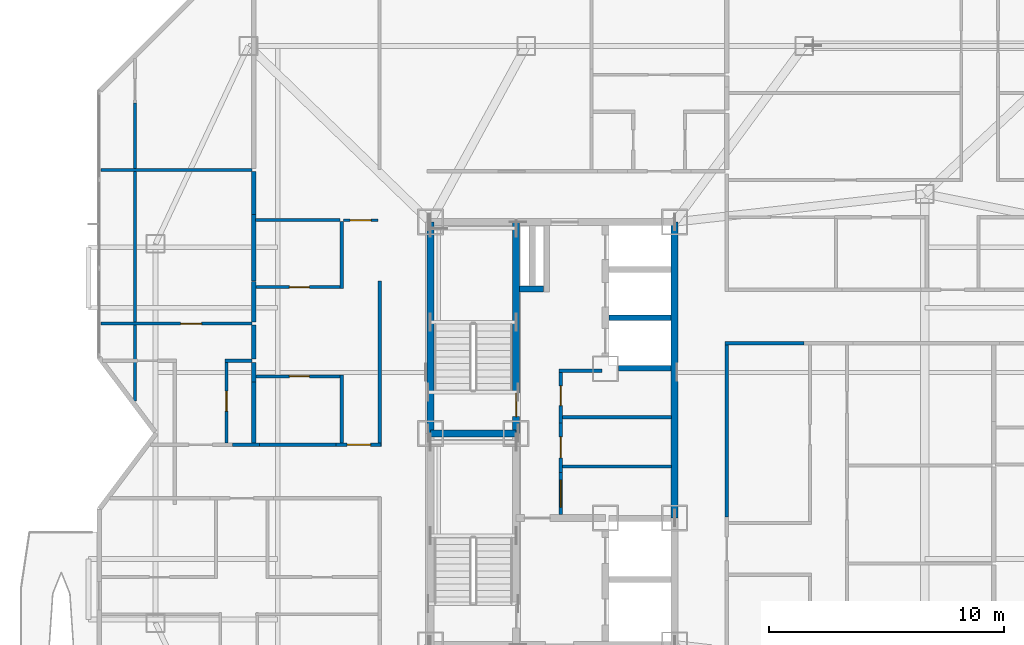
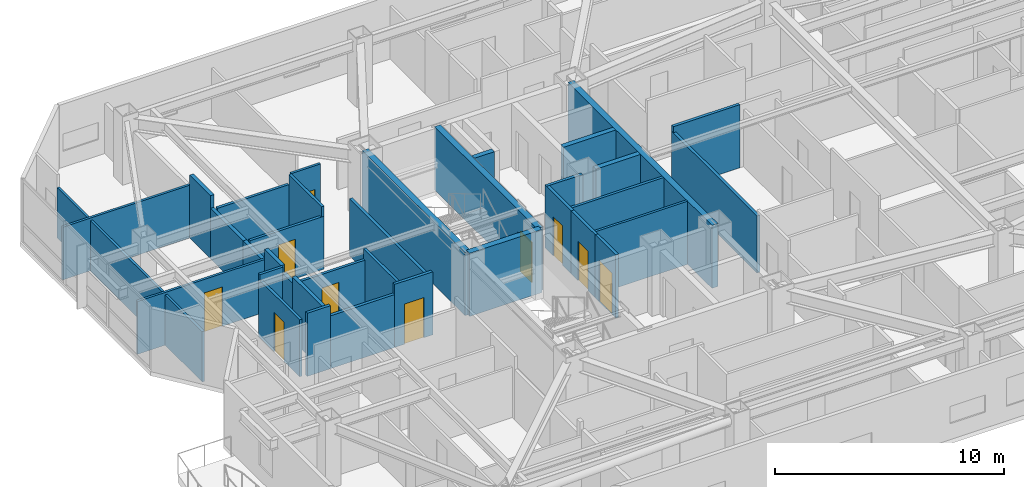
# One storey, part 14 of 20: 36 walls, 10 doors, 10 openings.
"""IFC4 building model written with IfcOpenShell, lengths in metres."""

from ifc_helpers import new_model, si_unit, direction, frame, frame_2d, origin, place, context, subcontext, project, spatial, rectangle, extrude, material, layer, layer_set, type_object, element, fill, save


model = new_model("IFC4")

# Units and contexts
model_context = context("Model", 3, precision=1e-05, world=origin(), true_north=direction((0.0, 1.0)))
body_context = subcontext(model_context, "Body", "Model", "MODEL_VIEW")
ifc_project = project(units=[si_unit("LENGTHUNIT", "METRE"), si_unit("AREAUNIT", "SQUARE_METRE"), si_unit("VOLUMEUNIT", "CUBIC_METRE"), si_unit("PLANEANGLEUNIT", "RADIAN"), si_unit("MASSUNIT", "GRAM", prefix="KILO")], contexts=[model_context])

# Site, building, storey
site_placement = place(None, origin())
site = spatial("IfcSite", under=ifc_project, at=site_placement, CompositionType="ELEMENT")
building_placement = place(site_placement, origin())
building = spatial("IfcBuilding", under=site, at=building_placement, Name="Khamvora Tower", CompositionType="ELEMENT")
storey_placement = place(building_placement, frame((0.0, 0.0, 203.35009765625)))
storey = spatial("IfcBuildingStorey", under=building, at=storey_placement, Name="L52", CompositionType="ELEMENT", Elevation=203.35009765625)

# Walls
ifc_material_1 = material(Name="Concrete C50/60", Category="concrete")
ifc_layer_1 = layer(ifc_material_1, 0.300048828125)
ifc_layer_set_1 = layer_set([ifc_layer_1], Name="Concrete C50/60")
wall_type_1 = type_object("IfcWallType", Name="WAL-CORE-300", PredefinedType="SHEAR", material=ifc_layer_set_1)
wall_1_placement = place(storey_placement, frame((29.0, 28.0, 0.0), z_axis=(0.0, 0.0, 1.0), x_axis=(0.0, 1.0, 0.0)))
element("IfcWall", 1, at=wall_1_placement, inside=storey, type_object=wall_type_1, Name="L52 central core west north wall", PredefinedType="SHEAR", context=body_context, shape_type="SweptSolid", body=[
    extrude(rectangle(XDim=9.0, YDim=0.300048828125, at=frame_2d((4.5, 0.0))), origin(), (0.0, 0.0, 1.0), 3.369873046875),
])
wall_2_placement = place(storey_placement, frame((39.39990234375, 24.39990234375, 0.0), z_axis=(0.0, 0.0, 1.0), x_axis=(0.0, 1.0, 0.0)))
element("IfcWall", 2, at=wall_2_placement, inside=storey, type_object=wall_type_1, Name="L52 central core east north wall", PredefinedType="SHEAR", context=body_context, shape_type="SweptSolid", body=[
    extrude(rectangle(XDim=12.60009765625, YDim=0.300048828125, at=frame_2d((6.300048828125, 0.0))), origin(), (0.0, 0.0, 1.0), 3.369873046875),
])

# Wall, opening, door
wall_3_placement = place(storey_placement, frame((32.64990234375, 28.0, 0.0), z_axis=(0.0, 0.0, 1.0), x_axis=(0.0, 1.0, 0.0)))
wall_3 = element("IfcWall", 3, at=wall_3_placement, inside=storey, type_object=wall_type_1, Name="L52 central core stair north spine wall", PredefinedType="SHEAR", context=body_context, shape_type="SweptSolid", body=[
    extrude(rectangle(XDim=9.0, YDim=0.300048828125, at=frame_2d((4.5, 0.0))), origin(), (0.0, 0.0, 1.0), 3.369873046875),
])
opening_1_placement = place(wall_3_placement, frame((0.719970703125, 0.0, 0.0)))
opening_1 = element("IfcOpeningElement", 4, at=opening_1_placement, cuts=wall_3, Name="Opening D-ST1", PredefinedType="OPENING", context=body_context, shape_type="SweptSolid", body=[
    extrude(rectangle(XDim=1.0, YDim=2.14990234375, at=frame_2d((0.5, 1.074951171875))), frame((0.0, 0.159912109375, 0.0), z_axis=(0.0, -1.0, 0.0), x_axis=(1.0, 0.0, 0.0)), (0.0, 0.0, 1.0), 0.320068359375),
])
ifc_material_2 = material(Name="Powder-Coated Steel and Hardwood Leaf", Category="steel")
door_type_1 = type_object("IfcDoorType", Name="DOR-STAIR-1000", OperationType="NOTDEFINED", PredefinedType="DOOR", material=ifc_material_2)
door_1_placement = place(opening_1_placement, origin())
door_1 = element("IfcDoor", 5, at=door_1_placement, inside=storey, type_object=door_type_1, Name="L52 exit stair ST-02 fire door", OperationType="SINGLE_SWING_RIGHT", OverallHeight=2.14990234375, OverallWidth=1.0, PredefinedType="DOOR", context=body_context, shape_type="SweptSolid", body=[
    extrude(rectangle(XDim=1.0, YDim=2.14990234375, at=frame_2d((0.5, 1.074951171875))), frame((0.0, 0.02490234375, 0.0), z_axis=(0.0, -1.0, 0.0), x_axis=(1.0, 0.0, 0.0)), (0.0, 0.0, 1.0), 0.050048828125),
])
fill(opening_1, door_1)

# Walls
wall_4_placement = place(storey_placement, frame((29.0, 28.0, 0.0), z_axis=(0.0, 0.0, 1.0), x_axis=(1.0, 0.0, 0.0)))
element("IfcWall", 6, at=wall_4_placement, inside=storey, type_object=wall_type_1, Name="L52 central core stair cross wall", PredefinedType="SHEAR", context=body_context, shape_type="SweptSolid", body=[
    extrude(rectangle(XDim=3.64990234375, YDim=0.300048828125, at=frame_2d((1.824951171875, 0.0))), origin(), (0.0, 0.0, 1.0), 3.369873046875),
])
ifc_material_3 = material(Name="Fire-Rated Drywall and Steel Stud", Category="steel")
ifc_layer_2 = layer(ifc_material_3, 0.14990234375)
ifc_layer_set_2 = layer_set([ifc_layer_2], Name="Fire-Rated Drywall and Steel Stud")
wall_type_2 = type_object("IfcWallType", Name="WAL-CORR-150", PredefinedType="STANDARD", material=ifc_layer_set_2)
wall_5_placement = place(storey_placement, frame((36.300048828125, 30.6650390625, 0.0), z_axis=(0.0, 0.0, 1.0), x_axis=(-1.0, 0.0, 0.0)))
element("IfcWall", 7, at=wall_5_placement, inside=storey, type_object=wall_type_2, Name="L52 interior partition wall 001", PredefinedType="STANDARD", context=body_context, shape_type="SweptSolid", body=[
    extrude(rectangle(XDim=1.820068359375, YDim=0.14990234375, at=frame_2d((0.91015625, 0.0))), origin(), (0.0, 0.0, 1.0), 3.369873046875),
])

# Wall, opening, door
wall_6_placement = place(storey_placement, frame((34.544921875, 30.72998046875, 0.0), z_axis=(0.0, 0.0, 1.0), x_axis=(0.0, -1.0, 0.0)))
wall_6 = element("IfcWall", 8, at=wall_6_placement, inside=storey, type_object=wall_type_2, Name="L52 interior partition wall 002", PredefinedType="STANDARD", context=body_context, shape_type="SweptSolid", body=[
    extrude(rectangle(XDim=2.2939453125, YDim=0.14990234375, at=frame_2d((1.14697265625, 0.0))), origin(), (0.0, 0.0, 1.0), 3.369873046875),
])
opening_2_placement = place(wall_6_placement, frame((0.700927734375, 0.0, 0.0)))
opening_2 = element("IfcOpeningElement", 9, at=opening_2_placement, cuts=wall_6, Name="Opening D-WC1", PredefinedType="OPENING", context=body_context, shape_type="SweptSolid", body=[
    extrude(rectangle(XDim=0.85009765625, YDim=2.10009765625, at=frame_2d((0.425048828125, 1.050048828125))), frame((0.0, 0.0849609375, 0.0), z_axis=(0.0, -1.0, 0.0), x_axis=(1.0, 0.0, 0.0)), (0.0, 0.0, 1.0), 0.169921875),
])
door_type_2 = type_object("IfcDoorType", Name="DOR-WET-850", OperationType="NOTDEFINED", PredefinedType="DOOR", material=ifc_material_2)
door_2_placement = place(opening_2_placement, origin())
door_2 = element("IfcDoor", 10, at=door_2_placement, inside=storey, type_object=door_type_2, Name="L52 interior door PHL-CS1", OperationType="SINGLE_SWING_LEFT", OverallHeight=2.10009765625, OverallWidth=0.85009765625, PredefinedType="DOOR", context=body_context, shape_type="SweptSolid", body=[
    extrude(rectangle(XDim=0.85009765625, YDim=2.10009765625, at=frame_2d((0.425048828125, 1.050048828125))), frame((0.0, 0.02490234375, 0.0), z_axis=(0.0, -1.0, 0.0), x_axis=(1.0, 0.0, 0.0)), (0.0, 0.0, 1.0), 0.050048828125),
])
fill(opening_2, door_2)

wall_7_placement = place(storey_placement, frame((34.544921875, 28.43603515625, 0.0), z_axis=(0.0, 0.0, 1.0), x_axis=(0.0, -1.0, 0.0)))
wall_7 = element("IfcWall", 11, at=wall_7_placement, inside=storey, type_object=wall_type_2, Name="L52 interior partition wall 003", PredefinedType="STANDARD", context=body_context, shape_type="SweptSolid", body=[
    extrude(rectangle(XDim=2.10009765625, YDim=0.14990234375, at=frame_2d((1.050048828125, 0.0))), origin(), (0.0, 0.0, 1.0), 3.369873046875),
])
opening_3_placement = place(wall_7_placement, frame((0.5791015625, 0.0, 0.0)))
opening_3 = element("IfcOpeningElement", 12, at=opening_3_placement, cuts=wall_7, Name="Opening D-RM1", PredefinedType="OPENING", context=body_context, shape_type="SweptSolid", body=[
    extrude(rectangle(XDim=0.89990234375, YDim=2.10009765625, at=frame_2d((0.449951171875, 1.050048828125))), frame((0.0, 0.0849609375, 0.0), z_axis=(0.0, -1.0, 0.0), x_axis=(1.0, 0.0, 0.0)), (0.0, 0.0, 1.0), 0.169921875),
])
door_type_3 = type_object("IfcDoorType", Name="DOR-ROOM-900", OperationType="NOTDEFINED", PredefinedType="DOOR", material=ifc_material_2)
door_3_placement = place(opening_3_placement, origin())
door_3 = element("IfcDoor", 13, at=door_3_placement, inside=storey, type_object=door_type_3, Name="L52 interior door PHL-CS2", OperationType="SINGLE_SWING_RIGHT", OverallHeight=2.10009765625, OverallWidth=0.89990234375, PredefinedType="DOOR", context=body_context, shape_type="SweptSolid", body=[
    extrude(rectangle(XDim=0.89990234375, YDim=2.10009765625, at=frame_2d((0.449951171875, 1.050048828125))), frame((0.0, 0.02490234375, 0.0), z_axis=(0.0, -1.0, 0.0), x_axis=(1.0, 0.0, 0.0)), (0.0, 0.0, 1.0), 0.050048828125),
])
fill(opening_3, door_3)

wall_8_placement = place(storey_placement, frame((34.544921875, 26.3359375, 0.0), z_axis=(0.0, 0.0, 1.0), x_axis=(0.0, -1.0, 0.0)))
wall_8 = element("IfcWall", 14, at=wall_8_placement, inside=storey, type_object=wall_type_2, Name="L52 interior partition wall 004", PredefinedType="STANDARD", context=body_context, shape_type="SweptSolid", body=[
    extrude(rectangle(XDim=1.7919921875, YDim=0.14990234375, at=frame_2d((0.89599609375, 0.0))), origin(), (0.0, 0.0, 1.0), 3.369873046875),
])
opening_4_placement = place(wall_8_placement, frame((0.321044921875, 0.0, 0.0)))
opening_4 = element("IfcOpeningElement", 15, at=opening_4_placement, cuts=wall_8, Name="Opening D-SC1", PredefinedType="OPENING", context=body_context, shape_type="SweptSolid", body=[
    extrude(rectangle(XDim=1.14990234375, YDim=2.199951171875, at=frame_2d((0.574951171875, 1.10009765625))), frame((0.0, 0.0849609375, 0.0), z_axis=(0.0, -1.0, 0.0), x_axis=(1.0, 0.0, 0.0)), (0.0, 0.0, 1.0), 0.169921875),
])
door_type_4 = type_object("IfcDoorType", Name="DOR-SCHL-1150", OperationType="NOTDEFINED", PredefinedType="DOOR", material=ifc_material_2)
door_4_placement = place(opening_4_placement, origin())
door_4 = element("IfcDoor", 16, at=door_4_placement, inside=storey, type_object=door_type_4, Name="L52 interior door PHL-CS3", OperationType="SINGLE_SWING_LEFT", OverallHeight=2.199951171875, OverallWidth=1.14990234375, PredefinedType="DOOR", context=body_context, shape_type="SweptSolid", body=[
    extrude(rectangle(XDim=1.14990234375, YDim=2.199951171875, at=frame_2d((0.574951171875, 1.10009765625))), frame((0.0, 0.02490234375, 0.0), z_axis=(0.0, -1.0, 0.0), x_axis=(1.0, 0.0, 0.0)), (0.0, 0.0, 1.0), 0.050048828125),
])
fill(opening_4, door_4)

# Wall
wall_9_placement = place(storey_placement, frame((20.56494140625, 27.514892578125, 0.0), z_axis=(0.0, 0.0, 1.0), x_axis=(1.0, 0.0, 0.0)))
element("IfcWall", 17, at=wall_9_placement, inside=storey, type_object=wall_type_2, Name="L52 interior partition wall 015", PredefinedType="STANDARD", context=body_context, shape_type="SweptSolid", body=[
    extrude(rectangle(XDim=1.1591796875, YDim=0.14990234375, at=frame_2d((0.57958984375, 0.0))), origin(), (0.0, 0.0, 1.0), 3.369873046875),
])

# Wall, opening, door
wall_10_placement = place(storey_placement, frame((24.97607421875, 27.514892578125, 0.0), z_axis=(0.0, 0.0, 1.0), x_axis=(1.0, 0.0, 0.0)))
wall_10 = element("IfcWall", 18, at=wall_10_placement, inside=storey, type_object=wall_type_2, Name="L52 interior partition wall 016", PredefinedType="STANDARD", context=body_context, shape_type="SweptSolid", body=[
    extrude(rectangle(XDim=1.923828125, YDim=0.14990234375, at=frame_2d((0.9619140625, 0.0))), origin(), (0.0, 0.0, 1.0), 3.369873046875),
])
opening_5_placement = place(wall_10_placement, frame((0.48291015625, 0.0, 0.0)))
opening_5 = element("IfcOpeningElement", 19, at=opening_5_placement, cuts=wall_10, Name="Opening D-U1", PredefinedType="OPENING", context=body_context, shape_type="SweptSolid", body=[
    extrude(rectangle(XDim=1.0, YDim=2.14990234375, at=frame_2d((0.5, 1.074951171875))), frame((0.0, 0.0849609375, 0.0), z_axis=(0.0, -1.0, 0.0), x_axis=(1.0, 0.0, 0.0)), (0.0, 0.0, 1.0), 0.169921875),
])
door_type_5 = type_object("IfcDoorType", Name="DOR-UNIT-1000", OperationType="NOTDEFINED", PredefinedType="DOOR", material=ifc_material_2)
door_5_placement = place(opening_5_placement, origin())
door_5 = element("IfcDoor", 20, at=door_5_placement, inside=storey, type_object=door_type_5, Name="L52 interior door COR-52WCH", OperationType="SINGLE_SWING_LEFT", OverallHeight=2.14990234375, OverallWidth=1.0, PredefinedType="DOOR", context=body_context, shape_type="SweptSolid", body=[
    extrude(rectangle(XDim=1.0, YDim=2.14990234375, at=frame_2d((0.5, 1.074951171875))), frame((0.0, 0.02490234375, 0.0), z_axis=(0.0, -1.0, 0.0), x_axis=(1.0, 0.0, 0.0)), (0.0, 0.0, 1.0), 0.050048828125),
])
fill(opening_5, door_5)

# Walls
wall_11_placement = place(storey_placement, frame((26.8349609375, 27.449951171875, 0.0), z_axis=(0.0, 0.0, 1.0), x_axis=(0.0, 1.0, 0.0)))
element("IfcWall", 21, at=wall_11_placement, inside=storey, type_object=wall_type_2, Name="L52 interior partition wall 017", PredefinedType="STANDARD", context=body_context, shape_type="SweptSolid", body=[
    extrude(rectangle(XDim=7.050048828125, YDim=0.14990234375, at=frame_2d((3.52490234375, 0.0))), origin(), (0.0, 0.0, 1.0), 3.046875),
])
wall_12_placement = place(storey_placement, frame((21.72412109375, 27.514892578125, 0.0), z_axis=(0.0, 0.0, 1.0), x_axis=(1.0, 0.0, 0.0)))
element("IfcWall", 22, at=wall_12_placement, inside=storey, type_object=wall_type_2, Name="L52 interior partition wall 018", PredefinedType="STANDARD", context=body_context, shape_type="SweptSolid", body=[
    extrude(rectangle(XDim=3.251953125, YDim=0.14990234375, at=frame_2d((1.6259765625, 0.0))), origin(), (0.0, 0.0, 1.0), 2.826904296875),
])
wall_13_placement = place(storey_placement, frame((44.908935546875, 31.8349609375, 0.0), z_axis=(0.0, 0.0, 1.0), x_axis=(-1.0, 0.0, 0.0)))
element("IfcWall", 23, at=wall_13_placement, inside=storey, type_object=wall_type_2, Name="L52 interior partition wall 029", PredefinedType="STANDARD", context=body_context, shape_type="SweptSolid", body=[
    extrude(rectangle(XDim=3.35888671875, YDim=0.14990234375, at=frame_2d((1.679443359375, 0.0))), origin(), (0.0, 0.0, 1.0), 3.369873046875),
])
wall_14_placement = place(storey_placement, frame((41.614990234375, 31.89794921875, 0.0), z_axis=(0.0, 0.0, 1.0), x_axis=(0.0, -1.0, 0.0)))
element("IfcWall", 24, at=wall_14_placement, inside=storey, type_object=wall_type_2, Name="L52 interior partition wall 030", PredefinedType="STANDARD", context=body_context, shape_type="SweptSolid", body=[
    extrude(rectangle(XDim=7.46484375, YDim=0.14990234375, at=frame_2d((3.732421875, 0.0))), origin(), (0.0, 0.0, 1.0), 3.046875),
])
ifc_material_4 = material(Name="Acoustic Double-Stud Fire Wall", Category="gypsum")
ifc_layer_3 = layer(ifc_material_4, 0.179931640625)
ifc_layer_set_3 = layer_set([ifc_layer_3], Name="Acoustic Double-Stud Fire Wall")
wall_type_3 = type_object("IfcWallType", Name="WAL-CORR-180", PredefinedType="STANDARD", material=ifc_layer_set_3)
wall_15_placement = place(storey_placement, frame((21.47509765625, 32.610107421875, 0.0), z_axis=(0.0, 0.0, 1.0), x_axis=(0.0, -1.0, 0.0)))
element("IfcWall", 25, at=wall_15_placement, inside=storey, type_object=wall_type_3, Name="L52 interior partition wall 069", PredefinedType="STANDARD", context=body_context, shape_type="SweptSolid", body=[
    extrude(rectangle(XDim=1.4501953125, YDim=0.179931640625, at=frame_2d((0.72509765625, 0.0))), origin(), (0.0, 0.0, 1.0), 3.369873046875),
])
wall_16_placement = place(storey_placement, frame((21.47509765625, 31.030029296875, 0.0), z_axis=(0.0, 0.0, 1.0), x_axis=(0.0, -1.0, 0.0)))
element("IfcWall", 26, at=wall_16_placement, inside=storey, type_object=wall_type_3, Name="L52 interior partition wall 070", PredefinedType="STANDARD", context=body_context, shape_type="SweptSolid", body=[
    extrude(rectangle(XDim=0.84912109375, YDim=0.179931640625, at=frame_2d((0.424560546875, 0.0))), origin(), (0.0, 0.0, 1.0), 3.046875),
])
wall_17_placement = place(storey_placement, frame((21.47509765625, 30.180908203125, 0.0), z_axis=(0.0, 0.0, 1.0), x_axis=(0.0, -1.0, 0.0)))
element("IfcWall", 27, at=wall_17_placement, inside=storey, type_object=wall_type_3, Name="L52 interior partition wall 071", PredefinedType="STANDARD", context=body_context, shape_type="SweptSolid", body=[
    extrude(rectangle(XDim=2.598876953125, YDim=0.179931640625, at=frame_2d((1.29931640625, 0.0))), origin(), (0.0, 0.0, 1.0), 3.369873046875),
])
wall_18_placement = place(storey_placement, frame((21.47509765625, 34.47900390625, 0.0), z_axis=(0.0, 0.0, 1.0), x_axis=(0.0, -1.0, 0.0)))
element("IfcWall", 28, at=wall_18_placement, inside=storey, type_object=wall_type_3, Name="L52 interior partition wall 073", PredefinedType="STANDARD", context=body_context, shape_type="SweptSolid", body=[
    extrude(rectangle(XDim=1.739013671875, YDim=0.179931640625, at=frame_2d((0.86962890625, 0.0))), origin(), (0.0, 0.0, 1.0), 2.68701171875),
])
wall_19_placement = place(storey_placement, frame((21.47509765625, 37.3291015625, 0.0), z_axis=(0.0, 0.0, 1.0), x_axis=(0.0, -1.0, 0.0)))
element("IfcWall", 29, at=wall_19_placement, inside=storey, type_object=wall_type_3, Name="L52 interior partition wall 074", PredefinedType="STANDARD", context=body_context, shape_type="SweptSolid", body=[
    extrude(rectangle(XDim=2.85009765625, YDim=0.179931640625, at=frame_2d((1.425048828125, 0.0))), origin(), (0.0, 0.0, 1.0), 2.68701171875),
])
wall_20_placement = place(storey_placement, frame((21.47509765625, 39.155029296875, 0.0), z_axis=(0.0, 0.0, 1.0), x_axis=(0.0, -1.0, 0.0)))
element("IfcWall", 30, at=wall_20_placement, inside=storey, type_object=wall_type_3, Name="L52 interior partition wall 075", PredefinedType="STANDARD", context=body_context, shape_type="SweptSolid", body=[
    extrude(rectangle(XDim=1.825927734375, YDim=0.179931640625, at=frame_2d((0.9130859375, 0.0))), origin(), (0.0, 0.0, 1.0), 3.369873046875),
])
ifc_material_5 = material(Name="Gypsum Plasterboard Partition", Category="gypsum")
ifc_layer_4 = layer(ifc_material_5, 0.1201171875)
ifc_layer_set_4 = layer_set([ifc_layer_4], Name="Gypsum Plasterboard Partition")
wall_type_4 = type_object("IfcWallType", Name="WAL-PART-120", PredefinedType="PARTITIONING", material=ifc_layer_set_4)
wall_21_placement = place(storey_placement, frame((39.256103515625, 26.5849609375, 0.0), z_axis=(0.0, 0.0, 1.0), x_axis=(-1.0, 0.0, 0.0)))
element("IfcWall", 31, at=wall_21_placement, inside=storey, type_object=wall_type_4, Name="L52 interior partition wall 006", PredefinedType="PARTITIONING", context=body_context, shape_type="SweptSolid", body=[
    extrude(rectangle(XDim=4.64404296875, YDim=0.1201171875, at=frame_2d((2.322021484375, 0.0))), origin(), (0.0, 0.0, 1.0), 3.369873046875),
])
wall_22_placement = place(storey_placement, frame((16.425048828125, 42.069091796875, 0.0), z_axis=(0.0, 0.0, 1.0), x_axis=(0.0, -1.0, 0.0)))
element("IfcWall", 32, at=wall_22_placement, inside=storey, type_object=wall_type_4, Name="L52 interior partition wall 066", PredefinedType="PARTITIONING", context=body_context, shape_type="SweptSolid", body=[
    extrude(rectangle(XDim=12.697998046875, YDim=0.1201171875, at=frame_2d((6.34912109375, 0.0))), origin(), (0.0, 0.0, 1.0), 2.68701171875),
])

# Wall, opening, door
wall_23_placement = place(storey_placement, frame((14.98193359375, 32.675048828125, 0.0), z_axis=(0.0, 0.0, 1.0), x_axis=(1.0, 0.0, 0.0)))
wall_23 = element("IfcWall", 33, at=wall_23_placement, inside=storey, type_object=wall_type_4, Name="L52 interior partition wall 067", PredefinedType="PARTITIONING", context=body_context, shape_type="SweptSolid", body=[
    extrude(rectangle(XDim=6.427978515625, YDim=0.1201171875, at=frame_2d((3.2138671875, 0.0))), origin(), (0.0, 0.0, 1.0), 2.81591796875),
])
opening_6_placement = place(wall_23_placement, frame((3.382080078125, 0.0, 0.0)))
opening_6 = element("IfcOpeningElement", 34, at=opening_6_placement, cuts=wall_23, Name="Opening D-RM1", PredefinedType="OPENING", context=body_context, shape_type="SweptSolid", body=[
    extrude(rectangle(XDim=0.89990234375, YDim=2.10009765625, at=frame_2d((0.449951171875, 1.050048828125))), frame((0.0, 0.070068359375, 0.0), z_axis=(0.0, -1.0, 0.0), x_axis=(1.0, 0.0, 0.0)), (0.0, 0.0, 1.0), 0.14013671875),
])
door_6_placement = place(opening_6_placement, origin())
door_6 = element("IfcDoor", 35, at=door_6_placement, inside=storey, type_object=door_type_3, Name="L52 interior door 52WBH-52WBL", OperationType="SINGLE_SWING_LEFT", OverallHeight=2.10009765625, OverallWidth=0.89990234375, PredefinedType="DOOR", context=body_context, shape_type="SweptSolid", body=[
    extrude(rectangle(XDim=0.89990234375, YDim=2.10009765625, at=frame_2d((0.449951171875, 1.050048828125))), frame((0.0, 0.02490234375, 0.0), z_axis=(0.0, -1.0, 0.0), x_axis=(1.0, 0.0, 0.0)), (0.0, 0.0, 1.0), 0.050048828125),
])
fill(opening_6, door_6)

# Wall
wall_24_placement = place(storey_placement, frame((14.98193359375, 39.219970703125, 0.0), z_axis=(0.0, 0.0, 1.0), x_axis=(1.0, 0.0, 0.0)))
element("IfcWall", 36, at=wall_24_placement, inside=storey, type_object=wall_type_4, Name="L52 interior partition wall 072", PredefinedType="PARTITIONING", context=body_context, shape_type="SweptSolid", body=[
    extrude(rectangle(XDim=6.427978515625, YDim=0.1201171875, at=frame_2d((3.2138671875, 0.0))), origin(), (0.0, 0.0, 1.0), 2.81591796875),
])

# Wall, opening, door
wall_25_placement = place(storey_placement, frame((25.2900390625, 37.080078125, 0.0), z_axis=(0.0, 0.0, 1.0), x_axis=(1.0, 0.0, 0.0)))
wall_25 = element("IfcWall", 37, at=wall_25_placement, inside=storey, type_object=wall_type_4, Name="L52 interior partition wall 081", PredefinedType="PARTITIONING", context=body_context, shape_type="SweptSolid", body=[
    extrude(rectangle(XDim=1.47998046875, YDim=0.1201171875, at=frame_2d((0.739990234375, 0.0))), origin(), (0.0, 0.0, 1.0), 3.369873046875),
])
opening_7_placement = place(wall_25_placement, frame((0.2900390625, 0.0, 0.0)))
opening_7 = element("IfcOpeningElement", 38, at=opening_7_placement, cuts=wall_25, Name="Opening D-RM1", PredefinedType="OPENING", context=body_context, shape_type="SweptSolid", body=[
    extrude(rectangle(XDim=0.89990234375, YDim=2.10009765625, at=frame_2d((0.449951171875, 1.050048828125))), frame((0.0, 0.070068359375, 0.0), z_axis=(0.0, -1.0, 0.0), x_axis=(1.0, 0.0, 0.0)), (0.0, 0.0, 1.0), 0.14013671875),
])
door_7_placement = place(opening_7_placement, origin())
door_7 = element("IfcDoor", 39, at=door_7_placement, inside=storey, type_object=door_type_3, Name="L52 interior door 52WCH-52WCR1", OperationType="SINGLE_SWING_LEFT", OverallHeight=2.10009765625, OverallWidth=0.89990234375, PredefinedType="DOOR", context=body_context, shape_type="SweptSolid", body=[
    extrude(rectangle(XDim=0.89990234375, YDim=2.10009765625, at=frame_2d((0.449951171875, 1.050048828125))), frame((0.0, 0.02490234375, 0.0), z_axis=(0.0, -1.0, 0.0), x_axis=(1.0, 0.0, 0.0)), (0.0, 0.0, 1.0), 0.050048828125),
])
fill(opening_7, door_7)

# Walls
ifc_material_6 = material(Name="Concrete C40/50", Category="concrete")
ifc_layer_5 = layer(ifc_material_6, 0.25)
ifc_layer_set_5 = layer_set([ifc_layer_5], Name="Concrete C40/50")
wall_type_5 = type_object("IfcWallType", Name="WAL-PODS-250", PredefinedType="SHEAR", material=ifc_layer_set_5)
wall_26_placement = place(storey_placement, frame((37.00390625, 30.77490234375, 0.0), z_axis=(0.0, 0.0, 1.0), x_axis=(1.0, 0.0, 0.0)))
element("IfcWall", 40, at=wall_26_placement, inside=storey, type_object=wall_type_5, Name="L52 high-rise lift shaft south enclosure wall PH-01", PredefinedType="SHEAR", context=body_context, shape_type="SweptSolid", body=[
    extrude(rectangle(XDim=2.2421875, YDim=0.25, at=frame_2d((1.12109375, 0.0))), origin(), (0.0, 0.0, 1.0), 3.369873046875),
])
wall_27_placement = place(storey_placement, frame((36.60400390625, 32.925048828125, 0.0), z_axis=(0.0, 0.0, 1.0), x_axis=(1.0, 0.0, 0.0)))
element("IfcWall", 41, at=wall_27_placement, inside=storey, type_object=wall_type_5, Name="L52 lift shaft divider wall PH-01", PredefinedType="SHEAR", context=body_context, shape_type="SweptSolid", body=[
    extrude(rectangle(XDim=2.64208984375, YDim=0.25, at=frame_2d((1.321044921875, 0.0))), origin(), (0.0, 0.0, 1.0), 3.369873046875),
])
wall_28_placement = place(storey_placement, frame((32.803955078125, 34.14990234375, 0.0), z_axis=(0.0, 0.0, 1.0), x_axis=(1.0, 0.0, 0.0)))
element("IfcWall", 42, at=wall_28_placement, inside=storey, type_object=wall_type_5, Name="L52 vertical MEP riser shaft south enclosure wall", PredefinedType="SHEAR", context=body_context, shape_type="SweptSolid", body=[
    extrude(rectangle(XDim=1.02197265625, YDim=0.25, at=frame_2d((0.510986328125, 0.0))), origin(), (0.0, 0.0, 1.0), 3.369873046875),
])
ifc_material_7 = material(Name="Moisture-Resistant Plasterboard Partition", Category="gypsum")
ifc_layer_6 = layer(ifc_material_7, 0.135009765625)
ifc_layer_set_6 = layer_set([ifc_layer_6], Name="Moisture-Resistant Plasterboard Partition")
wall_type_6 = type_object("IfcWallType", Name="WAL-WET-135", PredefinedType="PARTITIONING", material=ifc_layer_set_6)
wall_29_placement = place(storey_placement, frame((39.256103515625, 28.68505859375, 0.0), z_axis=(0.0, 0.0, 1.0), x_axis=(-1.0, 0.0, 0.0)))
element("IfcWall", 43, at=wall_29_placement, inside=storey, type_object=wall_type_6, Name="L52 interior partition wall 005", PredefinedType="PARTITIONING", context=body_context, shape_type="SweptSolid", body=[
    extrude(rectangle(XDim=4.64404296875, YDim=0.135009765625, at=frame_2d((2.322021484375, 0.0))), origin(), (0.0, 0.0, 1.0), 3.369873046875),
])
wall_30_placement = place(storey_placement, frame((21.409912109375, 31.094970703125, 0.0), z_axis=(0.0, 0.0, 1.0), x_axis=(-1.0, 0.0, 0.0)))
element("IfcWall", 44, at=wall_30_placement, inside=storey, type_object=wall_type_6, Name="L52 interior partition wall 062", PredefinedType="PARTITIONING", context=body_context, shape_type="SweptSolid", body=[
    extrude(rectangle(XDim=1.158935546875, YDim=0.135009765625, at=frame_2d((0.57958984375, 0.0))), origin(), (0.0, 0.0, 1.0), 3.369873046875),
])

# Wall, opening, door
wall_31_placement = place(storey_placement, frame((20.31591796875, 31.159912109375, 0.0), z_axis=(0.0, 0.0, 1.0), x_axis=(0.0, -1.0, 0.0)))
wall_31 = element("IfcWall", 45, at=wall_31_placement, inside=storey, type_object=wall_type_6, Name="L52 interior partition wall 063", PredefinedType="PARTITIONING", context=body_context, shape_type="SweptSolid", body=[
    extrude(rectangle(XDim=3.577880859375, YDim=0.135009765625, at=frame_2d((1.7890625, 0.0))), origin(), (0.0, 0.0, 1.0), 3.046875),
])
opening_8_placement = place(wall_31_placement, frame((1.364013671875, 0.0, 0.0)))
opening_8 = element("IfcOpeningElement", 46, at=opening_8_placement, cuts=wall_31, Name="Opening D-WC1", PredefinedType="OPENING", context=body_context, shape_type="SweptSolid", body=[
    extrude(rectangle(XDim=0.85009765625, YDim=2.10009765625, at=frame_2d((0.425048828125, 1.050048828125))), frame((0.0, 0.077392578125, 0.0), z_axis=(0.0, -1.0, 0.0), x_axis=(1.0, 0.0, 0.0)), (0.0, 0.0, 1.0), 0.155029296875),
])
door_8_placement = place(opening_8_placement, origin())
door_8 = element("IfcDoor", 47, at=door_8_placement, inside=storey, type_object=door_type_2, Name="L52 interior door 52WBH-52WBB", OperationType="SINGLE_SWING_RIGHT", OverallHeight=2.10009765625, OverallWidth=0.85009765625, PredefinedType="DOOR", context=body_context, shape_type="SweptSolid", body=[
    extrude(rectangle(XDim=0.85009765625, YDim=2.10009765625, at=frame_2d((0.425048828125, 1.050048828125))), frame((0.0, 0.02490234375, 0.0), z_axis=(0.0, -1.0, 0.0), x_axis=(1.0, 0.0, 0.0)), (0.0, 0.0, 1.0), 0.050048828125),
])
fill(opening_8, door_8)

# Wall
wall_32_placement = place(storey_placement, frame((25.22509765625, 27.58203125, 0.0), z_axis=(0.0, 0.0, 1.0), x_axis=(0.0, 1.0, 0.0)))
element("IfcWall", 48, at=wall_32_placement, inside=storey, type_object=wall_type_6, Name="L52 interior partition wall 077", PredefinedType="PARTITIONING", context=body_context, shape_type="SweptSolid", body=[
    extrude(rectangle(XDim=2.9130859375, YDim=0.135009765625, at=frame_2d((1.45654296875, 0.0))), origin(), (0.0, 0.0, 1.0), 3.369873046875),
])

# Wall, opening, door
wall_33_placement = place(storey_placement, frame((25.2900390625, 30.429931640625, 0.0), z_axis=(0.0, 0.0, 1.0), x_axis=(-1.0, 0.0, 0.0)))
wall_33 = element("IfcWall", 49, at=wall_33_placement, inside=storey, type_object=wall_type_6, Name="L52 interior partition wall 078", PredefinedType="PARTITIONING", context=body_context, shape_type="SweptSolid", body=[
    extrude(rectangle(XDim=3.733154296875, YDim=0.135009765625, at=frame_2d((1.86669921875, 0.0))), origin(), (0.0, 0.0, 1.0), 2.826904296875),
])
opening_9_placement = place(wall_33_placement, frame((1.44189453125, 0.0, 0.0)))
opening_9 = element("IfcOpeningElement", 50, at=opening_9_placement, cuts=wall_33, Name="Opening D-WC1", PredefinedType="OPENING", context=body_context, shape_type="SweptSolid", body=[
    extrude(rectangle(XDim=0.85009765625, YDim=2.10009765625, at=frame_2d((0.425048828125, 1.050048828125))), frame((0.0, 0.077392578125, 0.0), z_axis=(0.0, -1.0, 0.0), x_axis=(1.0, 0.0, 0.0)), (0.0, 0.0, 1.0), 0.155029296875),
])
door_9_placement = place(opening_9_placement, origin())
door_9 = element("IfcDoor", 51, at=door_9_placement, inside=storey, type_object=door_type_2, Name="L52 interior door 52WCH-52WCB", OperationType="SINGLE_SWING_LEFT", OverallHeight=2.10009765625, OverallWidth=0.85009765625, PredefinedType="DOOR", context=body_context, shape_type="SweptSolid", body=[
    extrude(rectangle(XDim=0.85009765625, YDim=2.10009765625, at=frame_2d((0.425048828125, 1.050048828125))), frame((0.0, 0.02490234375, 0.0), z_axis=(0.0, -1.0, 0.0), x_axis=(1.0, 0.0, 0.0)), (0.0, 0.0, 1.0), 0.050048828125),
])
fill(opening_9, door_9)

wall_34_placement = place(storey_placement, frame((21.556884765625, 34.22998046875, 0.0), z_axis=(0.0, 0.0, 1.0), x_axis=(1.0, 0.0, 0.0)))
wall_34 = element("IfcWall", 52, at=wall_34_placement, inside=storey, type_object=wall_type_6, Name="L52 interior partition wall 079", PredefinedType="PARTITIONING", context=body_context, shape_type="SweptSolid", body=[
    extrude(rectangle(XDim=3.733154296875, YDim=0.135009765625, at=frame_2d((1.86669921875, 0.0))), origin(), (0.0, 0.0, 1.0), 2.826904296875),
])
opening_10_placement = place(wall_34_placement, frame((1.44189453125, 0.0, 0.0)))
opening_10 = element("IfcOpeningElement", 53, at=opening_10_placement, cuts=wall_34, Name="Opening D-RM2", PredefinedType="OPENING", context=body_context, shape_type="SweptSolid", body=[
    extrude(rectangle(XDim=0.85009765625, YDim=2.10009765625, at=frame_2d((0.425048828125, 1.050048828125))), frame((0.0, 0.077392578125, 0.0), z_axis=(0.0, -1.0, 0.0), x_axis=(1.0, 0.0, 0.0)), (0.0, 0.0, 1.0), 0.155029296875),
])
door_type_6 = type_object("IfcDoorType", Name="DOR-ROOM-850", OperationType="NOTDEFINED", PredefinedType="DOOR", material=ifc_material_2)
door_10_placement = place(opening_10_placement, origin())
door_10 = element("IfcDoor", 54, at=door_10_placement, inside=storey, type_object=door_type_6, Name="L52 interior door 52WCH-52WCK", OperationType="SINGLE_SWING_RIGHT", OverallHeight=2.10009765625, OverallWidth=0.85009765625, PredefinedType="DOOR", context=body_context, shape_type="SweptSolid", body=[
    extrude(rectangle(XDim=0.85009765625, YDim=2.10009765625, at=frame_2d((0.425048828125, 1.050048828125))), frame((0.0, 0.02490234375, 0.0), z_axis=(0.0, -1.0, 0.0), x_axis=(1.0, 0.0, 0.0)), (0.0, 0.0, 1.0), 0.050048828125),
])
fill(opening_10, door_10)

# Walls
wall_35_placement = place(storey_placement, frame((25.22509765625, 34.1650390625, 0.0), z_axis=(0.0, 0.0, 1.0), x_axis=(0.0, 1.0, 0.0)))
element("IfcWall", 55, at=wall_35_placement, inside=storey, type_object=wall_type_6, Name="L52 interior partition wall 080", PredefinedType="PARTITIONING", context=body_context, shape_type="SweptSolid", body=[
    extrude(rectangle(XDim=2.849853515625, YDim=0.135009765625, at=frame_2d((1.4248046875, 0.0))), origin(), (0.0, 0.0, 1.0), 3.369873046875),
])
wall_36_placement = place(storey_placement, frame((21.556884765625, 37.080078125, 0.0), z_axis=(0.0, 0.0, 1.0), x_axis=(1.0, 0.0, 0.0)))
element("IfcWall", 56, at=wall_36_placement, inside=storey, type_object=wall_type_6, Name="L52 interior partition wall 082", PredefinedType="PARTITIONING", context=body_context, shape_type="SweptSolid", body=[
    extrude(rectangle(XDim=3.60302734375, YDim=0.135009765625, at=frame_2d((1.801513671875, 0.0))), origin(), (0.0, 0.0, 1.0), 2.826904296875),
])

save(model, "model.ifc")
